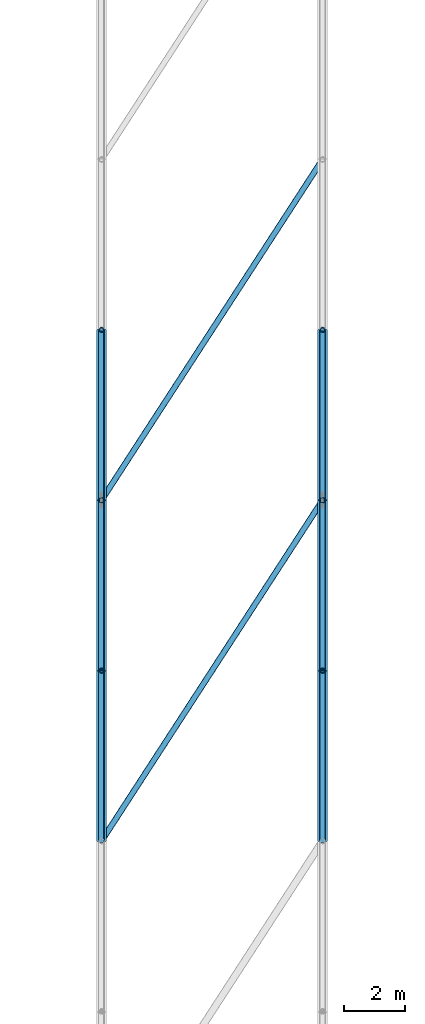
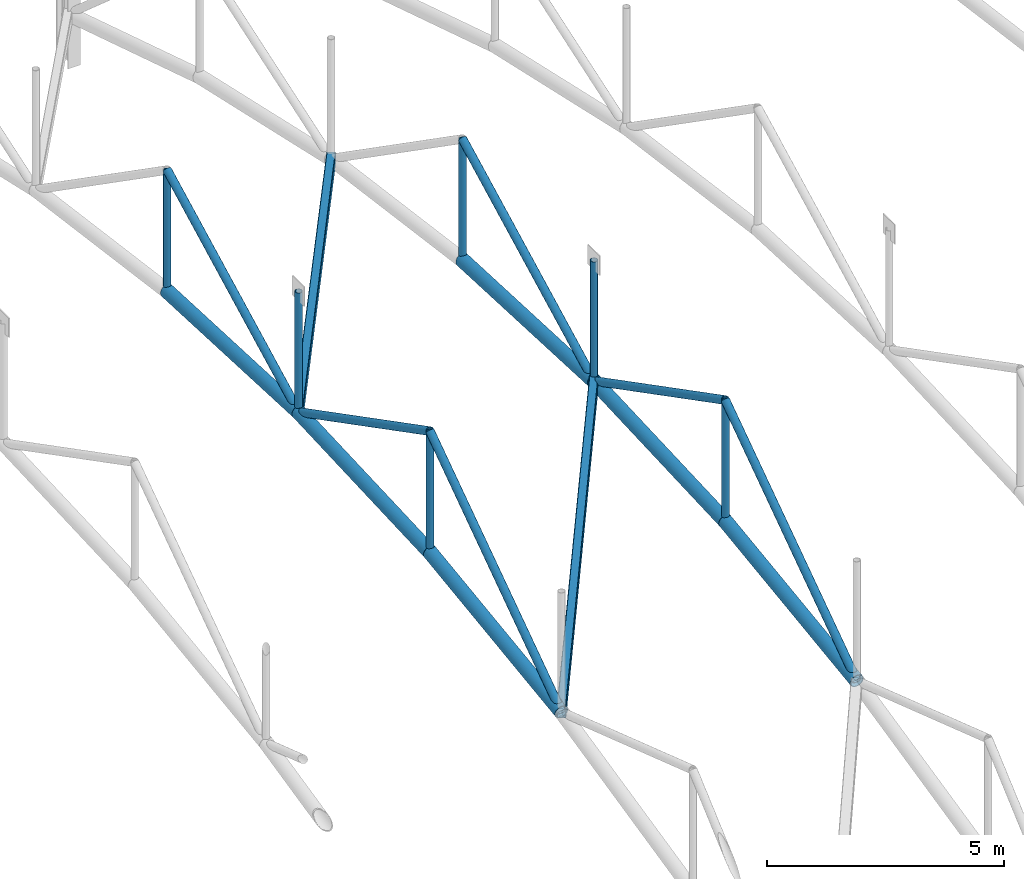
# One storey, part 37 of 153: 20 members.
"""IFC4 building model written with IfcOpenShell, lengths in metres."""

from ifc_helpers import new_model, si_unit, derived_unit, direction, frame, origin, origin_2d, place, context, subcontext, project, spatial, hollow_rectangle, hollow_circle, extrude, material, material_profile, profile_set, type_object, element, save


model = new_model("IFC4")

# Units and contexts
model_context = context("Model", 3, precision=1e-05, world=origin(), true_north=direction((0.0, 1.0)))
body_context = subcontext(model_context, "Body", "Model", "MODEL_VIEW")
ifc_project = project(units=[si_unit("LENGTHUNIT", "METRE"), si_unit("AREAUNIT", "SQUARE_METRE"), si_unit("VOLUMEUNIT", "CUBIC_METRE"), si_unit("PLANEANGLEUNIT", "RADIAN"), si_unit("MASSUNIT", "GRAM", prefix="KILO"), derived_unit("THERMALTRANSMITTANCEUNIT", [(si_unit("POWERUNIT", "WATT"), 1), (si_unit("LENGTHUNIT", "METRE"), -2), (si_unit("THERMODYNAMICTEMPERATUREUNIT", "KELVIN"), -1)])], contexts=[model_context])

# Site, building, storey
site_placement = place(None, origin())
site = spatial("IfcSite", under=ifc_project, at=site_placement, CompositionType="ELEMENT")
building_placement = place(site_placement, origin())
building = spatial("IfcBuilding", under=site, at=building_placement, Name="Keldorne Ridge Multi-Sports Centre", CompositionType="ELEMENT")
storey_placement = place(building_placement, frame((0.0, 0.0, 9.60009765625)))
storey = spatial("IfcBuildingStorey", under=building, at=storey_placement, Name="L02", CompositionType="ELEMENT", Elevation=9.60009765625)

# Members
ifc_material = material(Name="Steel S355", Category="steel")
ifc_material_profile_1 = material_profile(ifc_material, hollow_circle(Radius=0.161865234375, WallThickness=0.01611328125, at=origin_2d()), Name="CHS 323.9x16")
ifc_profile_set_1 = profile_set([ifc_material_profile_1], Name="Steel S355")
member_type_1 = type_object("IfcMemberType", Name="MEM-TC-02", PredefinedType="CHORD", material=ifc_profile_set_1)
member_1_placement = place(storey_placement, frame((27.60009765625, 20.699951171875, 5.93994140625), z_axis=(0.0, 0.990992586768, 0.13391673895), x_axis=(-1.0, 0.0, 0.0)))
element("IfcMember", 1, at=member_1_placement, inside=storey, type_object=member_type_1, Name="Main Hall ROOF TRUSS AT-04 bottom chord 3", PredefinedType="CHORD", context=body_context, shape_type="SweptSolid", body=[
    extrude(hollow_circle(Radius=0.161865234375, WallThickness=0.01611328125, at=origin_2d()), origin(), (0.0, 0.0, 1.0), 5.6005859375),
])
for number, where, z_axis, x_axis, name in (
    (2, (27.60009765625, 26.25, 6.68994140625), (0.0, 0.99898703105, 0.044999019918), (-1.0, 0.0, 0.0), "Main Hall ROOF TRUSS AT-04 bottom chord 4"),
    (3, (27.60009765625, 31.800048828125, 6.93994140625), (0.0, 0.99898703105, -0.044999019918), (-1.0, 0.0, 0.0), "Main Hall ROOF TRUSS AT-04 bottom chord 5"),
):
    element("IfcMember", number, at=place(storey_placement, frame(where, z_axis=z_axis, x_axis=x_axis)), inside=storey, type_object=member_type_1, Name=name, PredefinedType="CHORD", context=body_context, shape_type="SweptSolid", body=[
        extrude(hollow_circle(Radius=0.161865234375, WallThickness=0.01611328125, at=origin_2d()), origin(), (0.0, 0.0, 1.0), 5.5556640625),
    ])
member_2_placement = place(storey_placement, frame((34.800048828125, 20.699951171875, 4.219970703125), z_axis=(0.0, 0.990992586768, 0.13391673895), x_axis=(-1.0, 0.0, 0.0)))
element("IfcMember", 4, at=member_2_placement, inside=storey, type_object=member_type_1, Name="Main Hall ROOF TRUSS AT-05 bottom chord 3", PredefinedType="CHORD", context=body_context, shape_type="SweptSolid", body=[
    extrude(hollow_circle(Radius=0.161865234375, WallThickness=0.01611328125, at=origin_2d()), origin(), (0.0, 0.0, 1.0), 5.6005859375),
])
for number, where, z_axis, x_axis, name in (
    (5, (34.800048828125, 26.25, 4.969970703125), (0.0, 0.99898703105, 0.044999019918), (-1.0, 0.0, 0.0), "Main Hall ROOF TRUSS AT-05 bottom chord 4"),
    (6, (34.800048828125, 31.800048828125, 5.219970703125), (0.0, 0.99898703105, -0.044999019918), (-1.0, 0.0, 0.0), "Main Hall ROOF TRUSS AT-05 bottom chord 5"),
):
    element("IfcMember", number, at=place(storey_placement, frame(where, z_axis=z_axis, x_axis=x_axis)), inside=storey, type_object=member_type_1, Name=name, PredefinedType="CHORD", context=body_context, shape_type="SweptSolid", body=[
        extrude(hollow_circle(Radius=0.161865234375, WallThickness=0.01611328125, at=origin_2d()), origin(), (0.0, 0.0, 1.0), 5.5556640625),
    ])
ifc_material_profile_2 = material_profile(ifc_material, hollow_circle(Radius=0.096923828125, WallThickness=0.010009765625, at=origin_2d()), Name="CHS 193.7x10")
ifc_profile_set_2 = profile_set([ifc_material_profile_2], Name="Steel S355")
member_type_2 = type_object("IfcMemberType", Name="MEM-TD-01", PredefinedType="BRACE", material=ifc_profile_set_2)
member_3_placement = place(storey_placement, frame((27.60009765625, 20.699951171875, 5.93994140625), z_axis=(0.0, 0.820283254334, 0.571957500746), x_axis=(-1.0, 0.0, 0.0)))
element("IfcMember", 7, at=member_3_placement, inside=storey, type_object=member_type_2, Name="Main Hall ROOF TRUSS AT-04 diagonal 3", PredefinedType="BRACE", context=body_context, shape_type="SweptSolid", body=[
    extrude(hollow_circle(Radius=0.096923828125, WallThickness=0.010009765625, at=origin_2d()), origin(), (0.0, 0.0, 1.0), 6.76611328125),
])
for number, where, z_axis, x_axis, name in (
    (8, (27.60009765625, 26.25, 9.809814453125), (0.0, 0.888272619181, -0.459316616305), (-1.0, 0.0, 0.0), "Main Hall ROOF TRUSS AT-04 diagonal 4"),
    (9, (27.60009765625, 31.800048828125, 6.93994140625), (0.0, 0.888272619181, 0.459316616305), (-1.0, 0.0, 0.0), "Main Hall ROOF TRUSS AT-04 diagonal 5"),
):
    element("IfcMember", number, at=place(storey_placement, frame(where, z_axis=z_axis, x_axis=x_axis)), inside=storey, type_object=member_type_2, Name=name, PredefinedType="BRACE", context=body_context, shape_type="SweptSolid", body=[
        extrude(hollow_circle(Radius=0.096923828125, WallThickness=0.010009765625, at=origin_2d()), origin(), (0.0, 0.0, 1.0), 6.248046875),
    ])
member_4_placement = place(storey_placement, frame((34.800048828125, 20.699951171875, 4.219970703125), z_axis=(0.0, 0.820283254334, 0.571957500746), x_axis=(-1.0, 0.0, 0.0)))
element("IfcMember", 10, at=member_4_placement, inside=storey, type_object=member_type_2, Name="Main Hall ROOF TRUSS AT-05 diagonal 3", PredefinedType="BRACE", context=body_context, shape_type="SweptSolid", body=[
    extrude(hollow_circle(Radius=0.096923828125, WallThickness=0.010009765625, at=origin_2d()), origin(), (0.0, 0.0, 1.0), 6.76611328125),
])
for number, where, z_axis, x_axis, name in (
    (11, (34.800048828125, 26.25, 8.08984375), (0.0, 0.888272619181, -0.459316616305), (-1.0, 0.0, 0.0), "Main Hall ROOF TRUSS AT-05 diagonal 4"),
    (12, (34.800048828125, 31.800048828125, 5.219970703125), (0.0, 0.888272619181, 0.459316616305), (-1.0, 0.0, 0.0), "Main Hall ROOF TRUSS AT-05 diagonal 5"),
):
    element("IfcMember", number, at=place(storey_placement, frame(where, z_axis=z_axis, x_axis=x_axis)), inside=storey, type_object=member_type_2, Name=name, PredefinedType="BRACE", context=body_context, shape_type="SweptSolid", body=[
        extrude(hollow_circle(Radius=0.096923828125, WallThickness=0.010009765625, at=origin_2d()), origin(), (0.0, 0.0, 1.0), 6.248046875),
    ])
ifc_material_profile_3 = material_profile(ifc_material, hollow_circle(Radius=0.084228515625, WallThickness=0.010009765625, at=origin_2d()), Name="CHS 168.3x10")
ifc_profile_set_3 = profile_set([ifc_material_profile_3], Name="Steel S355")
member_type_3 = type_object("IfcMemberType", Name="MEM-TV-01", PredefinedType="STRUT", material=ifc_profile_set_3)
for number, where, z_axis, x_axis, name in (
    (13, (27.60009765625, 26.25, 6.68994140625), (0.0, 0.0, 1.0), (1.0, 0.0, 0.0), "Main Hall ROOF TRUSS AT-04 vertical 4"),
    (14, (27.60009765625, 31.800048828125, 6.93994140625), (0.0, 0.0, 1.0), (1.0, 0.0, 0.0), "Main Hall ROOF TRUSS AT-04 vertical 5"),
    (15, (27.60009765625, 37.35009765625, 6.68994140625), (0.0, 0.0, 1.0), (1.0, 0.0, 0.0), "Main Hall ROOF TRUSS AT-04 vertical 6"),
    (16, (34.800048828125, 26.25, 4.969970703125), (0.0, 0.0, 1.0), (1.0, 0.0, 0.0), "Main Hall ROOF TRUSS AT-05 vertical 4"),
    (17, (34.800048828125, 31.800048828125, 5.219970703125), (0.0, 0.0, 1.0), (1.0, 0.0, 0.0), "Main Hall ROOF TRUSS AT-05 vertical 5"),
    (18, (34.800048828125, 37.35009765625, 4.969970703125), (0.0, 0.0, 1.0), (1.0, 0.0, 0.0), "Main Hall ROOF TRUSS AT-05 vertical 6"),
):
    element("IfcMember", number, at=place(storey_placement, frame(where, z_axis=z_axis, x_axis=x_axis)), inside=storey, type_object=member_type_3, Name=name, PredefinedType="STRUT", context=body_context, shape_type="SweptSolid", body=[
        extrude(hollow_circle(Radius=0.084228515625, WallThickness=0.010009765625, at=origin_2d()), origin(), (0.0, 0.0, 1.0), 3.119873046875),
    ])
ifc_material_profile_4 = material_profile(ifc_material, hollow_rectangle(XDim=0.199951171875, YDim=0.300048828125, WallThickness=0.012451171875, InnerFilletRadius=0.012451171875, OuterFilletRadius=0.02490234375, at=origin_2d()), Name="RHS 300x200x12.5")
ifc_profile_set_4 = profile_set([ifc_material_profile_4], Name="Steel S355")
member_type_4 = type_object("IfcMemberType", Name="MEM-WB-01", PredefinedType="BRACE", material=ifc_profile_set_4)
member_5_placement = place(storey_placement, frame((27.60009765625, 20.699951171875, 5.93994140625), z_axis=(0.543381209243, 0.837725748854, -0.054336278392), x_axis=(-0.83896515778, 0.544185137643, 0.0)))
element("IfcMember", 19, at=member_5_placement, inside=storey, type_object=member_type_4, Name="Main Hall wind girder brace 4.3", PredefinedType="BRACE", context=body_context, shape_type="SweptSolid", body=[
    extrude(hollow_rectangle(XDim=0.199951171875, YDim=0.300048828125, WallThickness=0.012451171875, InnerFilletRadius=0.012451171875, OuterFilletRadius=0.02490234375, at=origin_2d()), origin(), (0.0, 0.0, 1.0), 13.250244140625),
])
member_6_placement = place(storey_placement, frame((27.60009765625, 31.800048828125, 6.93994140625), z_axis=(0.533045668434, 0.821773467002, -0.201372004748), x_axis=(-0.838959693152, 0.544193562317, 0.0)))
element("IfcMember", 20, at=member_6_placement, inside=storey, type_object=member_type_4, Name="Main Hall wind girder brace 4.5", PredefinedType="BRACE", context=body_context, shape_type="SweptSolid", body=[
    extrude(hollow_rectangle(XDim=0.199951171875, YDim=0.300048828125, WallThickness=0.012451171875, InnerFilletRadius=0.012451171875, OuterFilletRadius=0.02490234375, at=origin_2d()), origin(), (0.0, 0.0, 1.0), 13.507080078125),
])

save(model, "model.ifc")
